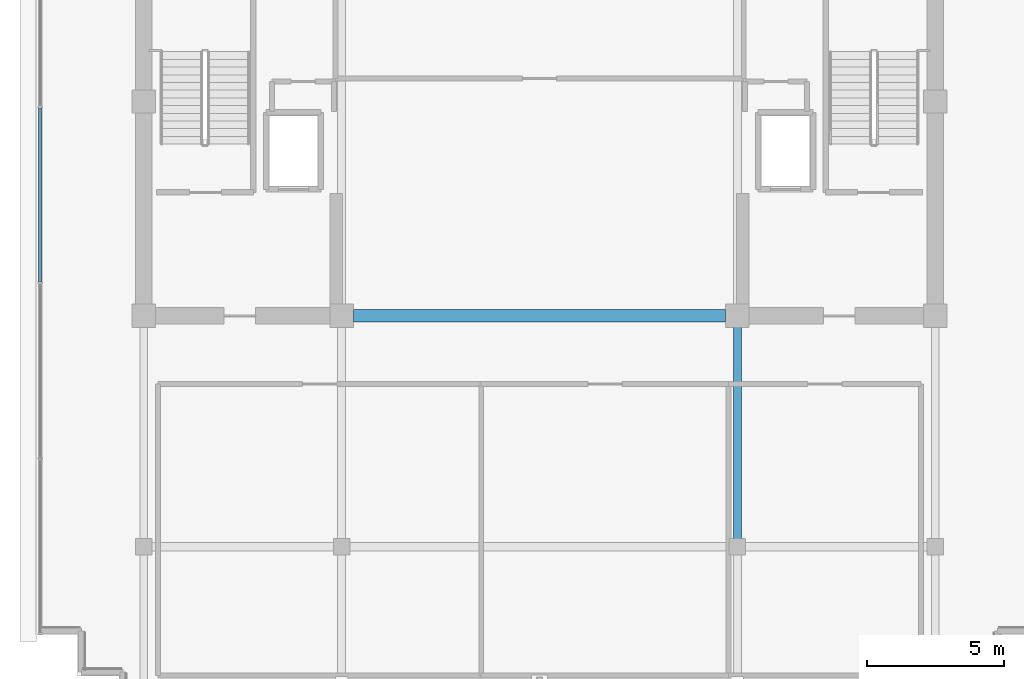
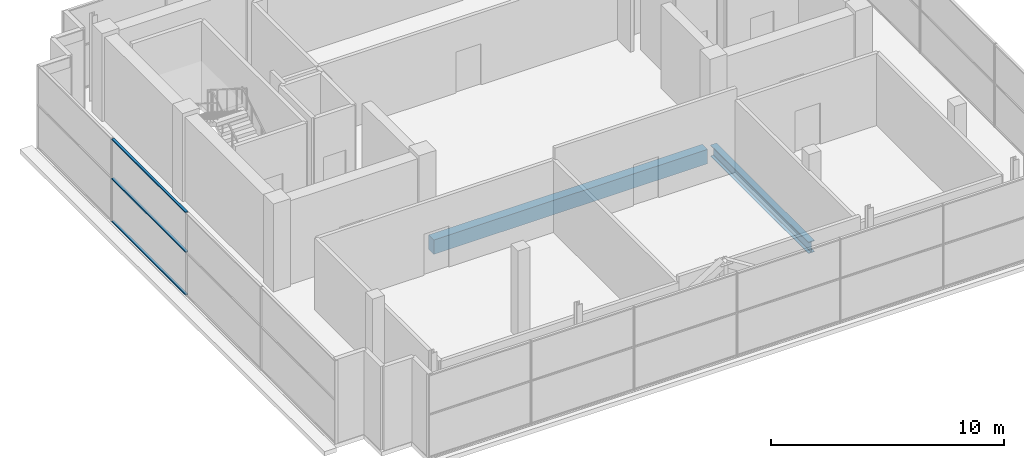
# One storey, part 13 of 28: 3 members, 2 beams, 1 element without a shape of its own.
"""IFC4 building model written with IfcOpenShell, lengths in metres."""

from ifc_helpers import new_model, si_unit, direction, frame, origin, origin_2d, place, context, subcontext, project, spatial, rectangle, hollow_rectangle, i_section, extrude, source, transform, mapped, material, layer, layer_set, material_profile, profile_set, type_object, element, aggregate, save


model = new_model("IFC4")

# Units and contexts
model_context = context("Model", 3, precision=1e-05, world=origin(), true_north=direction((0.0, 1.0)))
body_context = subcontext(model_context, "Body", "Model", "MODEL_VIEW")
ifc_project = project(units=[si_unit("LENGTHUNIT", "METRE"), si_unit("AREAUNIT", "SQUARE_METRE"), si_unit("VOLUMEUNIT", "CUBIC_METRE"), si_unit("PLANEANGLEUNIT", "RADIAN"), si_unit("MASSUNIT", "GRAM", prefix="KILO")], contexts=[model_context])

# Site, building, storey
site_placement = place(None, origin())
site = spatial("IfcSite", under=ifc_project, at=site_placement, CompositionType="ELEMENT")
building_placement = place(site_placement, origin())
building = spatial("IfcBuilding", under=site, at=building_placement, Name="Zarnakvel Exchange Tower", CompositionType="ELEMENT")
storey_placement = place(building_placement, frame((0.0, 0.0, 290.0)))
storey = spatial("IfcBuildingStorey", under=building, at=storey_placement, Name="Crown L81", CompositionType="ELEMENT", Elevation=290.0)

# Beams
ifc_material_1 = material(Name="Concrete C50/60", Category="concrete")
ifc_material_profile_1 = material_profile(ifc_material_1, rectangle(XDim=0.449951171875, YDim=0.75, at=origin_2d()))
ifc_profile_set_1 = profile_set([ifc_material_profile_1], Name="Concrete C50/60")
beam_type_1 = type_object("IfcBeamType", Name="CB-03", PredefinedType="LINTEL", material=ifc_profile_set_1)
beam_1_placement = place(storey_placement, frame((-6.77490234375, -1.199951171875, -0.594970703125), z_axis=(1.0, 0.0, 0.0), x_axis=(0.0, 1.0, 0.0)))
element("IfcBeam", 1, at=beam_1_placement, inside=storey, type_object=beam_type_1, Name="Crown L81 Rear Core South Coupling Beam (CB-03)", PredefinedType="LINTEL", context=body_context, shape_type="SweptSolid", body=[
    extrude(rectangle(XDim=0.449951171875, YDim=0.75, at=origin_2d()), origin(), (0.0, 0.0, 1.0), 13.5498046875),
])
ifc_material_2 = material(Name="Steel S355", Category="steel")
ifc_material_profile_2 = material_profile(ifc_material_2, i_section(OverallWidth=0.300048828125, OverallDepth=0.60009765625, WebThickness=0.015380859375, FlangeThickness=0.030029296875, FilletRadius=0.027099609375, at=origin_2d()))
ifc_profile_set_2 = profile_set([ifc_material_profile_2], Name="Steel S355")
beam_type_2 = type_object("IfcBeamType", Name="G-04", PredefinedType="BEAM", material=ifc_profile_set_2)
beam_2_placement = place(storey_placement, frame((7.199951171875, -9.60009765625, -0.52001953125), z_axis=(0.0, 1.0, 0.0), x_axis=(-1.0, 0.0, 0.0)))
element("IfcBeam", 2, at=beam_2_placement, inside=storey, type_object=beam_type_2, Name="Crown L81 Tower N-S Frame Beam", PredefinedType="BEAM", context=body_context, shape_type="SweptSolid", body=[
    extrude(i_section(OverallWidth=0.300048828125, OverallDepth=0.60009765625, WebThickness=0.015380859375, FlangeThickness=0.030029296875, FilletRadius=0.027099609375, at=origin_2d()), origin(), (0.0, 0.0, 1.0), 8.400146484375),
])

# Curtain wall, members
ifc_material_3 = material(Name="Architectural Bronze Anodised Aluminium", Category="aluminium")
ifc_layer = layer(ifc_material_3, 0.14990234375)
ifc_layer_set = layer_set([ifc_layer], Name="Architectural Bronze Anodised Aluminium")
curtain_wall_type = type_object("IfcCurtainWallType", Name="CW-07", PredefinedType="NOTDEFINED", material=ifc_layer_set)
curtain_wall_placement = place(storey_placement, origin())
curtain_wall = element("IfcCurtainWall", 3, at=curtain_wall_placement, inside=storey, type_object=curtain_wall_type, Name="Crown L81 Curtain Wall CW-Crown L81-W (CW-07)", PredefinedType="NOTDEFINED")
ifc_material_profile_3 = material_profile(ifc_material_3, hollow_rectangle(XDim=0.1201171875, YDim=0.06005859375, WallThickness=0.00390625, at=origin_2d()))
ifc_profile_set_3 = profile_set([ifc_material_profile_3], Name="Architectural Bronze Anodised Aluminium")
member_type = type_object("IfcMemberType", Name="CWT-07", PredefinedType="USERDEFINED", material=ifc_profile_set_3)
shared_shape = source(origin(), body_context, "Body", "SweptSolid", [
    extrude(hollow_rectangle(XDim=0.1201171875, YDim=0.06005859375, WallThickness=0.00390625, at=origin_2d()), origin(), (0.0, 0.0, 1.0), 6.340087890625),
])
member_1_placement = place(storey_placement, frame((-18.159912109375, 0.030029296875, 0.030029296875), z_axis=(0.0, 1.0, 0.0), x_axis=(-1.0, 0.0, 0.0)))
member_1 = element("IfcMember", 4, at=member_1_placement, type_object=member_type, Name="CW-07 transom 3.1", ObjectType="TRANSOM", PredefinedType="USERDEFINED", context=body_context, shape_type="MappedRepresentation", body=[
    mapped(shared_shape, transform((0.0, 0.0, 0.0), x_axis=(1.0, 0.0, 0.0), y_axis=(0.0, 1.0, 0.0), z_axis=(0.0, 0.0, 1.0), scale=1.0)),
])
member_2_placement = place(storey_placement, frame((-18.159912109375, 0.030029296875, 2.26708984375), z_axis=(0.0, 1.0, 0.0), x_axis=(-1.0, 0.0, 0.0)))
member_2 = element("IfcMember", 5, at=member_2_placement, type_object=member_type, Name="CW-07 transom 3.2", ObjectType="TRANSOM", PredefinedType="USERDEFINED", context=body_context, shape_type="MappedRepresentation", body=[
    mapped(shared_shape, transform((0.0, 0.0, 0.0), x_axis=(1.0, 0.0, 0.0), y_axis=(0.0, 1.0, 0.0), z_axis=(0.0, 0.0, 1.0), scale=1.0)),
])
member_3_placement = place(storey_placement, frame((-18.159912109375, 0.030029296875, 4.330078125), z_axis=(0.0, 1.0, 0.0), x_axis=(-1.0, 0.0, 0.0)))
member_3 = element("IfcMember", 6, at=member_3_placement, type_object=member_type, Name="CW-07 transom 3.3", ObjectType="TRANSOM", PredefinedType="USERDEFINED", context=body_context, shape_type="MappedRepresentation", body=[
    mapped(shared_shape, transform((0.0, 0.0, 0.0), x_axis=(1.0, 0.0, 0.0), y_axis=(0.0, 1.0, 0.0), z_axis=(0.0, 0.0, 1.0), scale=1.0)),
])
aggregate(curtain_wall, [member_1, member_2, member_3])

save(model, "model.ifc")
